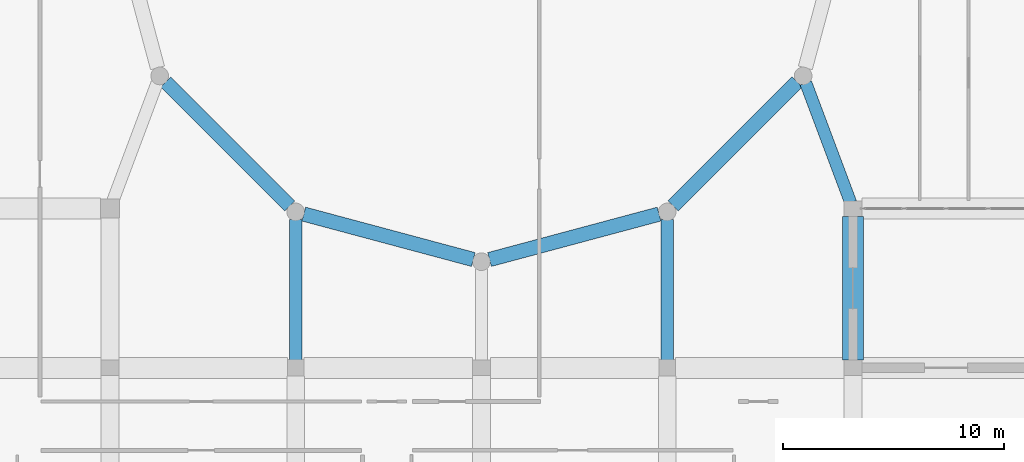
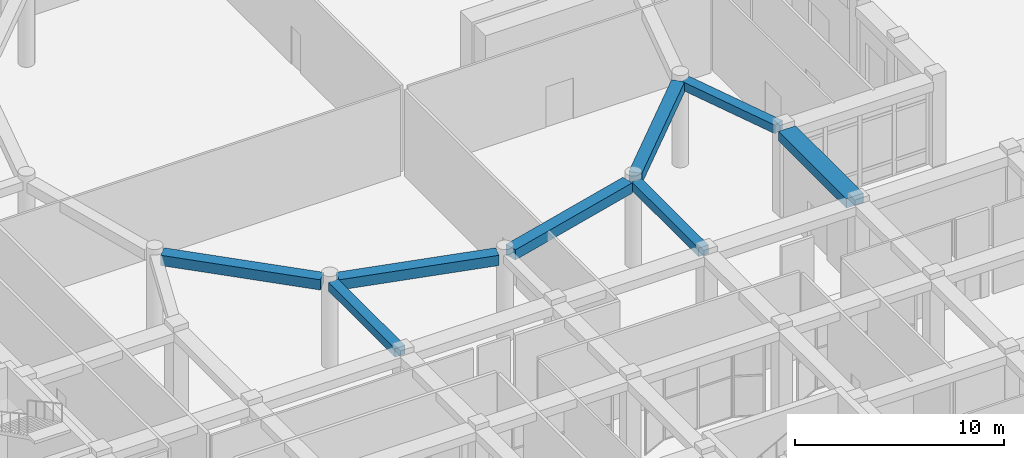
# One storey, part 24 of 84: 8 beams.
"""IFC4 building model written with IfcOpenShell, lengths in metres."""

from ifc_helpers import new_model, si_unit, derived_unit, direction, frame, origin, origin_2d, place, context, subcontext, project, spatial, rectangle, extrude, material, material_profile, profile_set, type_object, element, save


model = new_model("IFC4")

# Units and contexts
model_context = context("Model", 3, precision=1e-05, world=origin(), true_north=direction((0.0, 1.0)))
body_context = subcontext(model_context, "Body", "Model", "MODEL_VIEW")
ifc_project = project(units=[si_unit("LENGTHUNIT", "METRE"), si_unit("AREAUNIT", "SQUARE_METRE"), si_unit("VOLUMEUNIT", "CUBIC_METRE"), si_unit("PLANEANGLEUNIT", "RADIAN"), si_unit("MASSUNIT", "GRAM", prefix="KILO"), derived_unit("THERMALTRANSMITTANCEUNIT", [(si_unit("POWERUNIT", "WATT"), 1), (si_unit("LENGTHUNIT", "METRE"), -2), (si_unit("THERMODYNAMICTEMPERATUREUNIT", "KELVIN"), -1)])], contexts=[model_context])

# Site, building, storey
site_placement = place(None, origin())
site = spatial("IfcSite", under=ifc_project, at=site_placement, CompositionType="ELEMENT")
building_placement = place(site_placement, origin())
building = spatial("IfcBuilding", under=site, at=building_placement, Name="Veybourne Emporium", CompositionType="ELEMENT")
storey_placement = place(building_placement, origin())
storey = spatial("IfcBuildingStorey", under=building, at=storey_placement, Name="L00", CompositionType="ELEMENT", Elevation=0.0)

# Beams
ifc_material = material(Name="Concrete C32/40", Category="concrete")
ifc_material_profile_1 = material_profile(ifc_material, rectangle(XDim=0.949951171875, YDim=0.550048828125, at=origin_2d()), Name="RC 950x550")
ifc_profile_set_1 = profile_set([ifc_material_profile_1], Name="Concrete C32/40")
beam_type_1 = type_object("IfcBeamType", Name="RCBeam_EB-01", PredefinedType="SPANDREL", material=ifc_profile_set_1)
beam_1_placement = place(storey_placement, frame((92.39990234375, 29.14990234375, 4.804931640625), z_axis=(0.0, 1.0, 0.0), x_axis=(-1.0, 0.0, 0.0)))
element("IfcBeam", 1, at=beam_1_placement, inside=storey, type_object=beam_type_1, Name="L00 Y-grid beam EB-01 (11,4)", PredefinedType="SPANDREL", context=body_context, shape_type="SweptSolid", body=[
    extrude(rectangle(XDim=0.949951171875, YDim=0.550048828125, at=origin_2d()), origin(), (0.0, 0.0, 1.0), 6.5),
])
ifc_material_profile_2 = material_profile(ifc_material, rectangle(XDim=0.64990234375, YDim=0.60009765625, at=origin_2d()), Name="RC 650x600")
ifc_profile_set_2 = profile_set([ifc_material_profile_2], Name="Concrete C32/40")
beam_type_2 = type_object("IfcBeamType", Name="RCBeam_EB-02", PredefinedType="BEAM", material=ifc_profile_set_2)
for number, where, z_axis, x_axis, name in (
    (2, (61.319580078125, 41.731201171875, 4.780029296875), (0.707106781187, -0.707106781187, 0.0), (0.707106781187, 0.707106781187, 0.0), "Atrium ring beam EB-02 L00-08"),
    (3, (67.567138671875, 35.75244140625, 4.780029296875), (0.96592072481, -0.258838083332, 0.0), (0.258838083332, 0.96592072481, 0.0), "Atrium ring beam EB-02 L00-09"),
):
    element("IfcBeam", number, at=place(storey_placement, frame(where, z_axis=z_axis, x_axis=x_axis)), inside=storey, type_object=beam_type_2, Name=name, PredefinedType="BEAM", context=body_context, shape_type="SweptSolid", body=[
        extrude(rectangle(XDim=0.64990234375, YDim=0.60009765625, at=origin_2d()), origin(), (0.0, 0.0, 1.0), 7.936279296875),
    ])
beam_2_placement = place(storey_placement, frame((75.967041015625, 33.6982421875, 4.780029296875), z_axis=(0.965922785737, 0.258830392331, 0.0), x_axis=(-0.258830392331, 0.965922785737, 0.0)))
element("IfcBeam", 4, at=beam_2_placement, inside=storey, type_object=beam_type_2, Name="Atrium ring beam EB-02 L00-10", PredefinedType="BEAM", context=body_context, shape_type="SweptSolid", body=[
    extrude(rectangle(XDim=0.64990234375, YDim=0.60009765625, at=origin_2d()), origin(), (0.0, 0.0, 1.0), 7.9365234375),
])
beam_3_placement = place(storey_placement, frame((84.268798828125, 36.119384765625, 4.780029296875), z_axis=(0.707106781187, 0.707106781187, 0.0), x_axis=(-0.707106781187, 0.707106781187, 0.0)))
element("IfcBeam", 5, at=beam_3_placement, inside=storey, type_object=beam_type_2, Name="Atrium ring beam EB-02 L00-11", PredefinedType="BEAM", context=body_context, shape_type="SweptSolid", body=[
    extrude(rectangle(XDim=0.64990234375, YDim=0.60009765625, at=origin_2d()), origin(), (0.0, 0.0, 1.0), 7.936279296875),
])
ifc_material_profile_3 = material_profile(ifc_material, rectangle(XDim=0.550048828125, YDim=0.5, at=origin_2d()), Name="RC 550x500")
ifc_profile_set_3 = profile_set([ifc_material_profile_3], Name="Concrete C32/40")
beam_type_3 = type_object("IfcBeamType", Name="RCBeam_TB-01", PredefinedType="BEAM", material=ifc_profile_set_3)
for number, where, z_axis, x_axis, name in (
    (6, (67.199951171875, 35.5107421875, 4.830078125), (0.0, -1.0, 0.0), (1.0, 0.0, 0.0), "Atrium radial tie beam L00-09"),
    (7, (84.0, 35.5107421875, 4.830078125), (0.0, -1.0, 0.0), (1.0, 0.0, 0.0), "Atrium radial tie beam L00-11"),
):
    element("IfcBeam", number, at=place(storey_placement, frame(where, z_axis=z_axis, x_axis=x_axis)), inside=storey, type_object=beam_type_3, Name=name, PredefinedType="BEAM", context=body_context, shape_type="SweptSolid", body=[
        extrude(rectangle(XDim=0.550048828125, YDim=0.5, at=origin_2d()), origin(), (0.0, 0.0, 1.0), 6.395751953125),
    ])
beam_4_placement = place(storey_placement, frame((90.2685546875, 41.681640625, 4.830078125), z_axis=(0.351234565667, -0.936287498518, 0.0), x_axis=(0.936287498518, 0.351234565667, 0.0)))
element("IfcBeam", 8, at=beam_4_placement, inside=storey, type_object=beam_type_3, Name="Atrium radial tie beam L00-12", PredefinedType="BEAM", context=body_context, shape_type="SweptSolid", body=[
    extrude(rectangle(XDim=0.550048828125, YDim=0.5, at=origin_2d()), origin(), (0.0, 0.0, 1.0), 5.7783203125),
])

save(model, "model.ifc")
